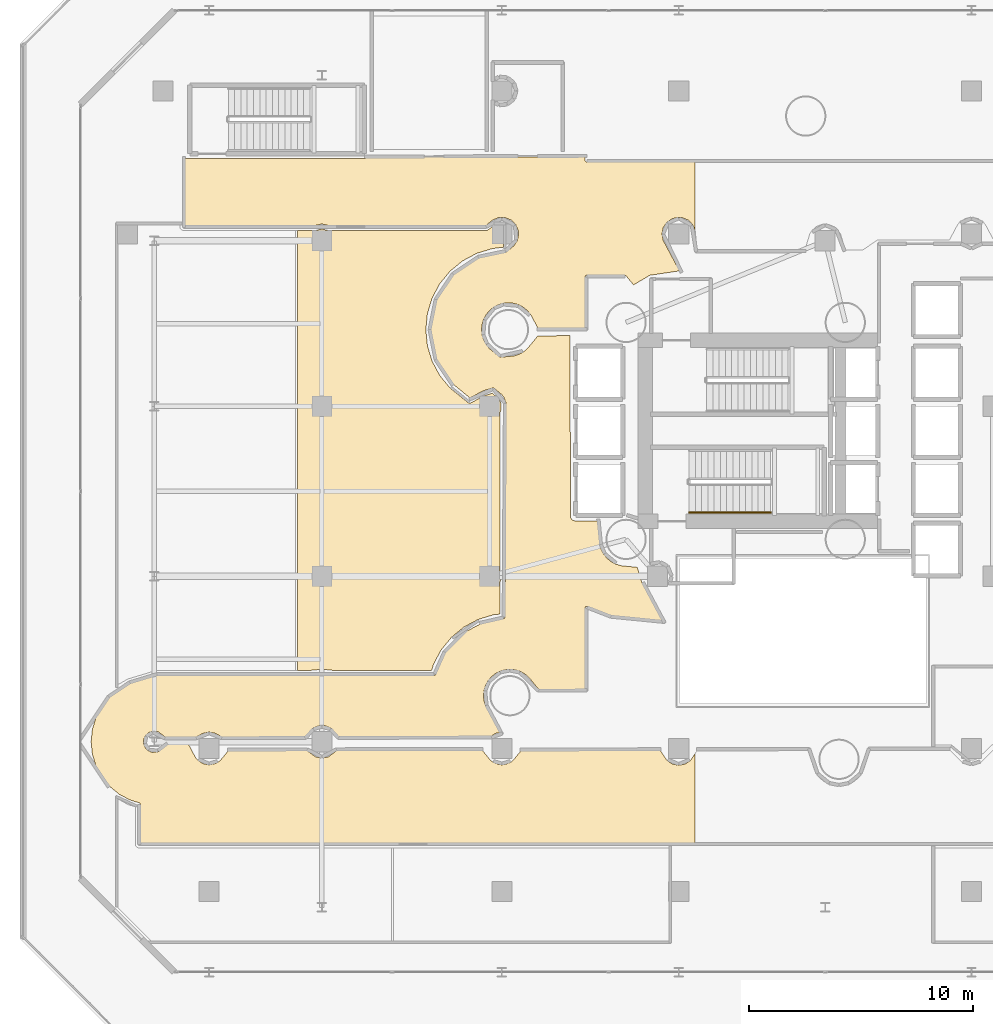
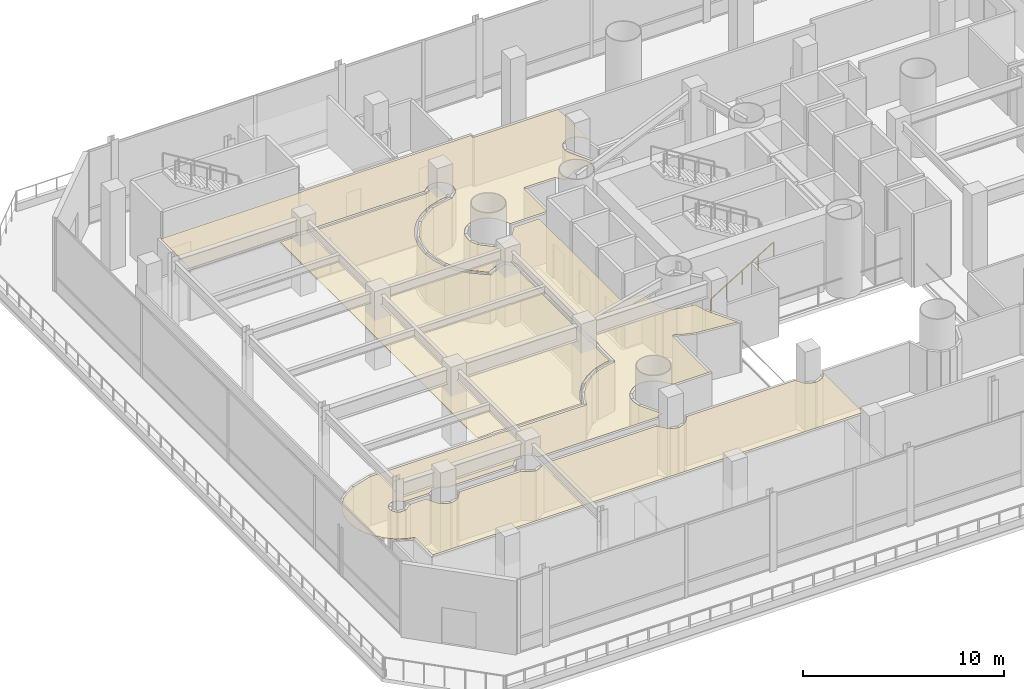
# One storey, part 32 of 39: 2 coverings, 1 railing.
"""IFC4 building model written with IfcOpenShell, lengths in metres."""

from ifc_helpers import new_model, si_unit, direction, frame, origin, origin_2d, place, context, subcontext, project, spatial, polyline, rectangle, outline, extrude, material, layer, layer_set, type_object, element, save


model = new_model("IFC4")

# Units and contexts
model_context = context("Model", 3, precision=1e-05, world=origin(), true_north=direction((0.0, 1.0)))
body_context = subcontext(model_context, "Body", "Model", "MODEL_VIEW")
ifc_project = project(units=[si_unit("LENGTHUNIT", "METRE"), si_unit("AREAUNIT", "SQUARE_METRE"), si_unit("VOLUMEUNIT", "CUBIC_METRE"), si_unit("PLANEANGLEUNIT", "RADIAN"), si_unit("MASSUNIT", "GRAM", prefix="KILO")], contexts=[model_context])

# Site, building, storey
site_placement = place(None, origin())
site = spatial("IfcSite", under=ifc_project, at=site_placement, CompositionType="ELEMENT")
building_placement = place(site_placement, origin())
building = spatial("IfcBuilding", under=site, at=building_placement, Name="Qianvela Tower", CompositionType="ELEMENT")
storey_placement = place(building_placement, frame((0.0, 0.0, 15.800048828125)))
storey = spatial("IfcBuildingStorey", under=building, at=storey_placement, Name="L03", CompositionType="ELEMENT", Elevation=15.800048828125)

# Coverings
ifc_material_1 = material(Name="Perforated Mineral Acoustic Ceiling Tile")
ifc_layer = layer(ifc_material_1, 0.02490234375)
ifc_layer_set = layer_set([ifc_layer], Name="Perforated Mineral Acoustic Ceiling Tile")
covering_type = type_object("IfcCoveringType", Name="COV-CEIL-ACOUSTIC-25", PredefinedType="CEILING", material=ifc_layer_set)
covering_1_placement = place(storey_placement, frame((0.0, 0.0, 2.994873046875)))
element("IfcCovering", 1, at=covering_1_placement, inside=storey, type_object=covering_type, Name="L03 Acoustic Ceiling Bay 1 L03 Concourse Gallery Corridor", PredefinedType="CEILING", context=body_context, shape_type="SweptSolid", body=[
    extrude(outline(polyline([(7.6953125, 15.237548828125), (7.68896484375, 15.2412109375), (7.682373046875, 15.243896484375), (7.67529296875, 15.246337890625), (7.668212890625, 15.248046875), (7.660888671875, 15.249267578125), (7.4296875, 15.27197265625), (7.422119140625, 15.272216796875), (7.4140625, 15.27197265625), (7.406494140625, 15.270751953125), (7.398681640625, 15.268798828125), (7.391357421875, 15.26611328125), (7.247314453125, 15.20654296875), (7.239990234375, 15.203125), (7.2333984375, 15.19921875), (7.22705078125, 15.1943359375), (7.22119140625, 15.189208984375), (7.11083984375, 15.078857421875), (7.105712890625, 15.072998046875), (7.100830078125, 15.066650390625), (7.096923828125, 15.059814453125), (7.093505859375, 15.052734375), (7.03369140625, 14.90869140625), (7.031005859375, 14.9013671875), (7.029296875, 14.8935546875), (7.028076171875, 14.885986328125), (7.027587890625, 14.8779296875), (7.027587890625, 14.721923828125), (7.028076171875, 14.714111328125), (7.029296875, 14.706298828125), (7.031005859375, 14.69873046875), (7.03369140625, 14.69140625), (7.093505859375, 14.547119140625), (7.096923828125, 14.5400390625), (7.100830078125, 14.533203125), (7.105712890625, 14.527099609375), (7.11083984375, 14.521240234375), (7.22119140625, 14.410888671875), (7.22705078125, 14.405517578125), (7.2333984375, 14.40087890625), (7.239990234375, 14.39697265625), (7.247314453125, 14.3935546875), (7.391357421875, 14.333740234375), (7.398681640625, 14.3310546875), (7.406494140625, 14.3291015625), (7.4140625, 14.328125), (7.422119140625, 14.32763671875), (7.4296875, 14.328125), (7.660888671875, 14.350830078125), (7.668212890625, 14.351806640625), (7.675537109375, 14.353759765625), (7.6826171875, 14.356201171875), (7.689453125, 14.359130859375), (7.69580078125, 14.36279296875), (7.701904296875, 14.3671875), (8.094482421875, 14.67041015625), (9.038818359375, 14.6728515625), (9.344482421875, 14.101318359375), (9.348388671875, 14.094482421875), (9.35302734375, 14.088134765625), (9.433837890625, 13.989501953125), (9.439208984375, 13.98388671875), (9.445068359375, 13.978515625), (9.451416015625, 13.973876953125), (9.662109375, 13.8330078125), (9.6689453125, 13.828857421875), (9.676025390625, 13.82568359375), (9.683349609375, 13.822998046875), (9.69091796875, 13.821044921875), (9.939697265625, 13.771484375), (9.947509765625, 13.7705078125), (9.955322265625, 13.77001953125), (9.963134765625, 13.7705078125), (9.970947265625, 13.771484375), (10.2197265625, 13.821044921875), (10.227294921875, 13.822998046875), (10.23486328125, 13.82568359375), (10.241943359375, 13.828857421875), (10.354248046875, 13.888916015625), (10.361083984375, 13.89306640625), (10.3671875, 13.897705078125), (10.4658203125, 13.978515625), (10.4716796875, 13.98388671875), (10.476806640625, 13.989501953125), (10.81005859375, 14.3955078125), (14.338623046875, 14.404296875), (14.703857421875, 14.135009765625), (14.711181640625, 14.13037109375), (14.718994140625, 14.126220703125), (14.72705078125, 14.123291015625), (14.735595703125, 14.12109375), (14.984375, 14.071533203125), (14.9921875, 14.0703125), (15.0, 14.070068359375), (15.0078125, 14.0703125), (15.015625, 14.071533203125), (15.264404296875, 14.12109375), (15.27294921875, 14.123291015625), (15.281005859375, 14.126220703125), (15.288818359375, 14.13037109375), (15.29638671875, 14.135009765625), (15.665283203125, 14.40771484375), (22.166748046875, 14.423828125), (22.523193359375, 13.989501953125), (22.5283203125, 13.98388671875), (22.5341796875, 13.978515625), (22.6328125, 13.897705078125), (22.638916015625, 13.89306640625), (22.645751953125, 13.888916015625), (22.65283203125, 13.885498046875), (22.88720703125, 13.78857421875), (22.89453125, 13.785888671875), (22.902099609375, 13.783935546875), (22.909912109375, 13.782958984375), (23.036865234375, 13.7705078125), (23.044677734375, 13.77001953125), (23.052490234375, 13.7705078125), (23.17919921875, 13.782958984375), (23.18701171875, 13.783935546875), (23.194580078125, 13.785888671875), (23.201904296875, 13.78857421875), (23.436279296875, 13.885498046875), (23.443359375, 13.888916015625), (23.4501953125, 13.89306640625), (23.45654296875, 13.897705078125), (23.554931640625, 13.978515625), (23.560791015625, 13.98388671875), (23.566162109375, 13.989501953125), (23.899169921875, 14.3955078125), (30.12841796875, 14.4111328125), (30.4150390625, 13.981689453125), (30.419921875, 13.9755859375), (30.425048828125, 13.9697265625), (30.430908203125, 13.96435546875), (30.437255859375, 13.959716796875), (30.654541015625, 13.814453125), (30.661376953125, 13.810302734375), (30.66845703125, 13.80712890625), (30.67578125, 13.804443359375), (30.683349609375, 13.802490234375), (30.939697265625, 13.75146484375), (30.947509765625, 13.75048828125), (30.955322265625, 13.75), (30.963134765625, 13.75048828125), (30.970947265625, 13.75146484375), (31.227294921875, 13.802490234375), (31.235107421875, 13.804443359375), (31.242431640625, 13.80712890625), (31.24951171875, 13.810302734375), (31.256103515625, 13.814453125), (31.4736328125, 13.959716796875), (31.47998046875, 13.96435546875), (31.485595703125, 13.9697265625), (31.490966796875, 13.9755859375), (31.49560546875, 13.981689453125), (31.68701171875, 14.26806640625), (31.68701171875, 10.280029296875), (6.8798828125, 10.280029296875), (6.8798828125, 11.996337890625), (6.879638671875, 12.00439453125), (6.87841796875, 12.01220703125), (6.876708984375, 12.019775390625), (6.873779296875, 12.027099609375), (6.87060546875, 12.0341796875), (6.866455078125, 12.041015625), (6.86181640625, 12.047119140625), (6.856689453125, 12.052978515625), (6.850830078125, 12.058349609375), (6.844482421875, 12.06298828125), (6.837646484375, 12.06689453125), (6.83056640625, 12.0703125), (6.8232421875, 12.072998046875), (6.4208984375, 12.195068359375), (5.93359375, 12.45556640625), (5.506103515625, 12.80615234375), (5.155517578125, 13.2333984375), (4.89501953125, 13.720947265625), (4.734619140625, 14.25), (4.680419921875, 14.800048828125), (4.734619140625, 15.35009765625), (4.89501953125, 15.87890625), (5.155517578125, 16.366455078125), (5.506103515625, 16.793701171875), (5.93359375, 17.144287109375), (6.4208984375, 17.405029296875), (7.624267578125, 17.77001953125), (14.4921875, 17.77001953125), (14.500244140625, 17.7705078125), (15.0, 17.819580078125), (15.499755859375, 17.7705078125), (15.5078125, 17.77001953125), (20.012451171875, 17.77001953125), (20.020263671875, 17.7705078125), (20.028076171875, 17.771484375), (20.03564453125, 17.7734375), (20.043212890625, 17.776123046875), (20.050048828125, 17.779296875), (20.056884765625, 17.783447265625), (20.063232421875, 17.7880859375), (20.069091796875, 17.79345703125), (20.07421875, 17.79931640625), (20.0791015625, 17.8056640625), (20.0830078125, 17.812255859375), (20.086181640625, 17.8193359375), (20.089111328125, 17.826904296875), (20.198486328125, 18.187744140625), (20.51904296875, 18.78759765625), (20.95068359375, 19.3134765625), (21.476318359375, 19.744873046875), (22.076171875, 20.0654296875), (22.72705078125, 20.262939453125), (23.10791015625, 20.30029296875), (23.115478515625, 20.301513671875), (23.123291015625, 20.303466796875), (23.130615234375, 20.30615234375), (23.1376953125, 20.3095703125), (23.144287109375, 20.3134765625), (23.15087890625, 20.318115234375), (23.156494140625, 20.323486328125), (23.161865234375, 20.329345703125), (23.16650390625, 20.335693359375), (23.170654296875, 20.34228515625), (23.173828125, 20.349365234375), (23.176513671875, 20.356689453125), (23.178466796875, 20.364501953125), (23.1796875, 20.372314453125), (23.179931640625, 20.380126953125), (23.179931640625, 21.872314453125), (23.248046875, 22.182861328125), (23.24951171875, 22.19140625), (23.25, 22.199951171875), (23.24951171875, 22.20849609375), (23.248046875, 22.217041015625), (23.179931640625, 22.527587890625), (23.179931640625, 29.468994140625), (23.233642578125, 29.64599609375), (23.235595703125, 29.65380859375), (23.23681640625, 29.661376953125), (23.237060546875, 29.669189453125), (23.237060546875, 29.9306640625), (23.23681640625, 29.938720703125), (23.235595703125, 29.9462890625), (23.233642578125, 29.953857421875), (23.23095703125, 29.961181640625), (23.131103515625, 30.202880859375), (23.127685546875, 30.2099609375), (23.12353515625, 30.216796875), (23.118896484375, 30.222900390625), (23.03564453125, 30.324462890625), (23.0302734375, 30.330322265625), (23.0244140625, 30.335693359375), (22.6982421875, 30.603515625), (22.69189453125, 30.60791015625), (22.685302734375, 30.612060546875), (22.677978515625, 30.615478515625), (22.670654296875, 30.6181640625), (22.6630859375, 30.6201171875), (22.6552734375, 30.62109375), (22.6474609375, 30.62158203125), (22.6396484375, 30.62109375), (22.6318359375, 30.6201171875), (22.624267578125, 30.6181640625), (22.220458984375, 30.49560546875), (22.212890625, 30.492919921875), (22.205810546875, 30.489501953125), (21.6162109375, 30.17431640625), (20.884521484375, 30.774658203125), (20.453125, 31.30029296875), (20.132568359375, 31.900146484375), (19.93505859375, 32.551025390625), (19.868408203125, 33.22802734375), (19.93505859375, 33.90478515625), (20.132568359375, 34.555908203125), (20.453125, 35.155517578125), (20.884521484375, 35.681396484375), (21.410400390625, 36.11279296875), (22.01025390625, 36.43359375), (22.6611328125, 36.630859375), (23.20703125, 36.684814453125), (23.21484375, 36.685791015625), (23.222412109375, 36.687744140625), (23.229736328125, 36.6904296875), (23.23681640625, 36.69384765625), (23.24365234375, 36.69775390625), (23.25, 36.702392578125), (23.569091796875, 36.96435546875), (23.574951171875, 36.9697265625), (23.580078125, 36.9755859375), (23.5849609375, 36.981689453125), (23.72998046875, 37.19921875), (23.734130859375, 37.205810546875), (23.737548828125, 37.212890625), (23.740234375, 37.220458984375), (23.7421875, 37.22802734375), (23.793212890625, 37.484375), (23.794189453125, 37.4921875), (23.794677734375, 37.5), (23.794189453125, 37.5078125), (23.78125, 37.638671875), (23.7802734375, 37.646240234375), (23.7783203125, 37.65380859375), (23.775634765625, 37.661376953125), (23.675537109375, 37.90283203125), (23.672119140625, 37.909912109375), (23.668212890625, 37.916748046875), (23.66357421875, 37.923095703125), (23.658203125, 37.9287109375), (23.473388671875, 38.11376953125), (23.467529296875, 38.118896484375), (23.461181640625, 38.12353515625), (23.45458984375, 38.127685546875), (23.447509765625, 38.131103515625), (23.205810546875, 38.23095703125), (23.198486328125, 38.233642578125), (23.19091796875, 38.235595703125), (23.18310546875, 38.23681640625), (23.052490234375, 38.24951171875), (23.044677734375, 38.25), (23.036865234375, 38.24951171875), (22.906005859375, 38.23681640625), (22.898193359375, 38.235595703125), (22.890625, 38.233642578125), (22.88330078125, 38.23095703125), (22.641845703125, 38.131103515625), (22.634765625, 38.127685546875), (22.6279296875, 38.12353515625), (22.62158203125, 38.118896484375), (22.33056640625, 37.8798828125), (15.32763671875, 37.8798828125), (15.01708984375, 37.947998046875), (15.008544921875, 37.949462890625), (15.0, 37.949951171875), (14.991455078125, 37.949462890625), (14.98291015625, 37.947998046875), (14.67236328125, 37.8798828125), (8.8798828125, 37.8798828125), (8.8798828125, 40.8798828125), (16.89990234375, 40.8798828125), (16.908203125, 40.88037109375), (16.916015625, 40.881591796875), (16.923828125, 40.8837890625), (17.103759765625, 40.93994140625), (26.77001953125, 40.93994140625), (26.77001953125, 40.800048828125), (26.7705078125, 40.792236328125), (26.771484375, 40.784423828125), (26.7734375, 40.77685546875), (26.776123046875, 40.769287109375), (26.779296875, 40.76220703125), (26.783447265625, 40.755615234375), (26.7880859375, 40.749267578125), (26.79345703125, 40.743408203125), (26.79931640625, 40.73828125), (26.8056640625, 40.7333984375), (26.812255859375, 40.7294921875), (26.8193359375, 40.72607421875), (26.826904296875, 40.723388671875), (26.83447265625, 40.721435546875), (26.84228515625, 40.720458984375), (26.85009765625, 40.719970703125), (31.68701171875, 40.719970703125), (31.68701171875, 37.659912109375), (31.686279296875, 37.661376953125), (31.58642578125, 37.90283203125), (31.5830078125, 37.909912109375), (31.5791015625, 37.916748046875), (31.57421875, 37.923095703125), (31.569091796875, 37.9287109375), (31.38427734375, 38.11376953125), (31.37841796875, 38.118896484375), (31.3720703125, 38.12353515625), (31.365234375, 38.127685546875), (31.358154296875, 38.131103515625), (31.11669921875, 38.23095703125), (31.109375, 38.233642578125), (31.101806640625, 38.235595703125), (31.093994140625, 38.23681640625), (30.963134765625, 38.24951171875), (30.955322265625, 38.25), (30.947509765625, 38.24951171875), (30.939697265625, 38.24853515625), (30.683349609375, 38.197509765625), (30.67578125, 38.195556640625), (30.66845703125, 38.19287109375), (30.661376953125, 38.189697265625), (30.654541015625, 38.185546875), (30.437255859375, 38.040283203125), (30.430908203125, 38.03564453125), (30.425048828125, 38.0302734375), (30.419921875, 38.0244140625), (30.4150390625, 38.018310546875), (30.27001953125, 37.80078125), (30.265869140625, 37.794189453125), (30.262451171875, 37.787109375), (30.259765625, 37.779541015625), (30.2578125, 37.77197265625), (30.206787109375, 37.515625), (30.205810546875, 37.5078125), (30.205322265625, 37.5), (30.205810546875, 37.4921875), (30.206787109375, 37.484375), (30.2578125, 37.22802734375), (30.259765625, 37.220458984375), (30.262451171875, 37.212890625), (30.265869140625, 37.205810546875), (30.988037109375, 35.854736328125), (29.670166015625, 35.658447265625), (29.66259765625, 35.656982421875), (29.655029296875, 35.65478515625), (29.64794921875, 35.651611328125), (29.64111328125, 35.64794921875), (28.93408203125, 35.226318359375), (28.60205078125, 35.630859375), (28.5966796875, 35.63671875), (28.5908203125, 35.641845703125), (28.584716796875, 35.646484375), (28.577880859375, 35.650634765625), (28.57080078125, 35.65380859375), (28.563232421875, 35.656494140625), (28.5556640625, 35.658447265625), (28.548095703125, 35.65966796875), (28.5400390625, 35.659912109375), (26.85009765625, 35.659912109375), (26.84228515625, 35.65966796875), (26.83447265625, 35.658447265625), (26.826904296875, 35.656494140625), (26.8193359375, 35.65380859375), (26.812255859375, 35.650634765625), (26.8056640625, 35.646484375), (26.79931640625, 35.641845703125), (26.79345703125, 35.63671875), (26.7880859375, 35.630859375), (26.783447265625, 35.62451171875), (26.779296875, 35.61767578125), (26.776123046875, 35.610595703125), (26.7734375, 35.603271484375), (26.771484375, 35.595703125), (26.7705078125, 35.587890625), (26.77001953125, 35.580078125), (26.77001953125, 33.29736328125), (24.658203125, 33.2919921875), (24.33984375, 33.887939453125), (24.335693359375, 33.894775390625), (24.3310546875, 33.90087890625), (24.19189453125, 34.07080078125), (24.1865234375, 34.076416015625), (24.1806640625, 34.081787109375), (24.010986328125, 34.22119140625), (24.004638671875, 34.225830078125), (23.998046875, 34.229736328125), (23.80419921875, 34.333251953125), (23.797119140625, 34.336669921875), (23.789794921875, 34.33935546875), (23.57958984375, 34.403076171875), (23.572021484375, 34.40478515625), (23.564208984375, 34.406005859375), (23.345703125, 34.427490234375), (23.337890625, 34.427978515625), (23.330078125, 34.427490234375), (23.11181640625, 34.406005859375), (23.10400390625, 34.40478515625), (23.09619140625, 34.403076171875), (22.88623046875, 34.33935546875), (22.87890625, 34.336669921875), (22.87158203125, 34.333251953125), (22.677978515625, 34.229736328125), (22.67138671875, 34.225830078125), (22.6650390625, 34.22119140625), (22.495361328125, 34.081787109375), (22.489501953125, 34.076416015625), (22.484130859375, 34.07080078125), (22.344970703125, 33.90087890625), (22.340087890625, 33.894775390625), (22.336181640625, 33.887939453125), (22.232666015625, 33.6943359375), (22.229248046875, 33.687255859375), (22.226806640625, 33.6796875), (22.1630859375, 33.4697265625), (22.1611328125, 33.462158203125), (22.159912109375, 33.454345703125), (22.138427734375, 33.23583984375), (22.137939453125, 33.22802734375), (22.138427734375, 33.22021484375), (22.159912109375, 33.001708984375), (22.1611328125, 32.993896484375), (22.1630859375, 32.986328125), (22.226806640625, 32.776123046875), (22.229248046875, 32.768798828125), (22.232666015625, 32.76171875), (22.336181640625, 32.568115234375), (22.340087890625, 32.561279296875), (22.344970703125, 32.554931640625), (22.484130859375, 32.38525390625), (22.489501953125, 32.37939453125), (22.495361328125, 32.374267578125), (22.93701171875, 32.01171875), (22.943359375, 32.007080078125), (22.9501953125, 32.0029296875), (22.957275390625, 31.99951171875), (22.964599609375, 31.9970703125), (22.97216796875, 31.9951171875), (22.97998046875, 31.993896484375), (22.98779296875, 31.993408203125), (22.99560546875, 31.993896484375), (23.564208984375, 32.0498046875), (23.572021484375, 32.051025390625), (23.57958984375, 32.052978515625), (23.789794921875, 32.11669921875), (23.797119140625, 32.119384765625), (23.80419921875, 32.122802734375), (23.998046875, 32.226318359375), (24.004638671875, 32.230224609375), (24.010986328125, 32.23486328125), (24.1806640625, 32.374267578125), (24.1865234375, 32.37939453125), (24.19189453125, 32.38525390625), (24.656982421875, 32.951904296875), (26.099609375, 32.95556640625), (26.10595703125, 24.859375), (26.1064453125, 24.8515625), (26.107666015625, 24.84375), (26.109619140625, 24.836181640625), (26.112060546875, 24.82861328125), (26.115478515625, 24.821533203125), (26.119384765625, 24.81494140625), (26.164794921875, 24.747314453125), (26.169189453125, 24.740966796875), (26.174560546875, 24.735107421875), (26.180419921875, 24.72998046875), (26.186767578125, 24.725341796875), (26.193603515625, 24.72119140625), (26.20068359375, 24.718017578125), (26.275634765625, 24.686767578125), (26.282958984375, 24.68408203125), (26.29052734375, 24.68212890625), (26.29833984375, 24.68115234375), (26.30615234375, 24.6806640625), (27.31787109375, 24.679931640625), (27.421875, 23.623779296875), (27.423095703125, 23.615966796875), (27.425048828125, 23.6083984375), (27.48876953125, 23.398193359375), (27.4912109375, 23.390869140625), (27.49462890625, 23.3837890625), (27.59814453125, 23.18994140625), (27.602294921875, 23.183349609375), (27.60693359375, 23.177001953125), (27.74609375, 23.00732421875), (27.75146484375, 23.00146484375), (27.75732421875, 22.99609375), (27.927001953125, 22.85693359375), (27.933349609375, 22.852294921875), (27.93994140625, 22.84814453125), (28.1337890625, 22.74462890625), (28.140869140625, 22.7412109375), (28.148193359375, 22.73876953125), (28.3583984375, 22.675048828125), (28.365966796875, 22.673095703125), (28.373779296875, 22.671875), (29.09814453125, 22.6005859375), (29.304443359375, 21.92041015625), (29.30712890625, 21.9130859375), (29.310302734375, 21.906005859375), (30.210693359375, 20.2216796875), (27.923095703125, 20.447021484375), (27.272216796875, 20.64453125), (26.8876953125, 20.85009765625), (26.880615234375, 20.853515625), (26.873291015625, 20.85595703125), (26.865478515625, 20.85791015625), (26.85791015625, 20.859130859375), (26.85009765625, 20.859619140625), (26.84228515625, 20.859130859375), (26.83447265625, 20.85791015625), (26.826904296875, 20.85595703125), (26.8193359375, 20.853515625), (26.812255859375, 20.85009765625), (26.8056640625, 20.845947265625), (26.79931640625, 20.84130859375), (26.79345703125, 20.8359375), (26.7880859375, 20.830078125), (26.783447265625, 20.823974609375), (26.779296875, 20.817138671875), (26.776123046875, 20.81005859375), (26.7734375, 20.802734375), (26.771484375, 20.795166015625), (26.7705078125, 20.787353515625), (26.77001953125, 20.779541015625), (26.77001953125, 17.145751953125), (24.693359375, 17.140380859375), (24.24365234375, 17.688720703125), (24.23828125, 17.6943359375), (24.232666015625, 17.69970703125), (24.06591796875, 17.83642578125), (24.0595703125, 17.841064453125), (24.052734375, 17.84521484375), (23.86279296875, 17.94677734375), (23.855712890625, 17.9501953125), (23.84814453125, 17.952880859375), (23.641845703125, 18.015380859375), (23.63427734375, 18.017333984375), (23.62646484375, 18.0185546875), (23.411865234375, 18.03955078125), (23.404052734375, 18.0400390625), (23.396240234375, 18.03955078125), (23.181640625, 18.0185546875), (23.173828125, 18.017333984375), (23.166259765625, 18.015380859375), (22.959716796875, 17.952880859375), (22.952392578125, 17.9501953125), (22.9453125, 17.94677734375), (22.755126953125, 17.84521484375), (22.748291015625, 17.841064453125), (22.7421875, 17.83642578125), (22.575439453125, 17.69970703125), (22.569580078125, 17.6943359375), (22.564208984375, 17.688720703125), (22.427490234375, 17.52197265625), (22.4228515625, 17.515625), (22.418701171875, 17.5087890625), (22.317138671875, 17.318603515625), (22.313720703125, 17.3115234375), (22.311279296875, 17.30419921875), (22.24853515625, 17.097900390625), (22.24658203125, 17.090087890625), (22.24560546875, 17.08251953125), (22.224365234375, 16.867919921875), (22.22412109375, 16.860107421875), (22.224365234375, 16.852294921875), (22.24560546875, 16.6376953125), (22.24658203125, 16.6298828125), (22.24853515625, 16.622314453125), (22.311279296875, 16.415771484375), (22.313720703125, 16.408447265625), (22.317138671875, 16.4013671875), (22.955078125, 15.20751953125), (22.782958984375, 15.179443359375), (22.774658203125, 15.177734375), (22.7666015625, 15.175048828125), (22.759033203125, 15.17138671875), (22.751708984375, 15.167236328125), (22.569580078125, 15.046630859375), (15.74951171875, 15.029541015625), (15.42041015625, 15.39404296875), (15.41552734375, 15.399169921875), (15.41015625, 15.40380859375), (15.404296875, 15.40771484375), (15.398193359375, 15.411376953125), (15.3916015625, 15.414306640625), (15.157470703125, 15.511474609375), (15.14990234375, 15.51416015625), (15.142333984375, 15.51611328125), (15.134765625, 15.51708984375), (15.0078125, 15.529541015625), (15.0, 15.530029296875), (14.9921875, 15.529541015625), (14.865234375, 15.51708984375), (14.857666015625, 15.51611328125), (14.85009765625, 15.51416015625), (14.842529296875, 15.511474609375), (14.6083984375, 15.414306640625), (14.601806640625, 15.411376953125), (14.595703125, 15.40771484375), (14.58984375, 15.40380859375), (14.58447265625, 15.399169921875), (14.57958984375, 15.39404296875), (14.247314453125, 15.02587890625), (10.531005859375, 15.0166015625), (10.241943359375, 15.171142578125), (10.23486328125, 15.17431640625), (10.227294921875, 15.177001953125), (10.2197265625, 15.178955078125), (9.970947265625, 15.228515625), (9.963134765625, 15.2294921875), (9.955322265625, 15.22998046875), (9.947509765625, 15.2294921875), (9.939697265625, 15.228515625), (9.69091796875, 15.178955078125), (9.683349609375, 15.177001953125), (9.676025390625, 15.17431640625), (9.6689453125, 15.171142578125), (9.37451171875, 15.013671875), (7.99560546875, 15.01025390625), (7.701416015625, 15.2333984375), (7.6953125, 15.237548828125)])), origin(), (0.0, 0.0, 1.0), 0.025146484375),
])
covering_2_placement = place(storey_placement, frame((0.0, 0.0, 2.994873046875)))
element("IfcCovering", 2, at=covering_2_placement, inside=storey, type_object=covering_type, Name="L03 Acoustic Ceiling Bay 2 L03 Student Tea Pantry and Study Lounge", PredefinedType="CEILING", context=body_context, shape_type="SweptSolid", body=[
    extrude(outline(polyline([(22.622802734375, 36.849853515625), (22.616455078125, 36.848876953125), (22.610107421875, 36.84716796875), (21.9326171875, 36.6416015625), (21.925048828125, 36.638916015625), (21.91796875, 36.635498046875), (21.293701171875, 36.3017578125), (21.286865234375, 36.2978515625), (21.280517578125, 36.293212890625), (20.733154296875, 35.843994140625), (20.727294921875, 35.838623046875), (20.72216796875, 35.832763671875), (20.27294921875, 35.285400390625), (20.268310546875, 35.279296875), (20.26416015625, 35.2724609375), (19.930419921875, 34.64794921875), (19.927001953125, 34.640869140625), (19.92431640625, 34.633544921875), (19.71875, 33.955810546875), (19.716796875, 33.9482421875), (19.7158203125, 33.9404296875), (19.646484375, 33.23583984375), (19.64599609375, 33.22802734375), (19.646484375, 33.22021484375), (19.7158203125, 32.515380859375), (19.716796875, 32.5078125), (19.71875, 32.5), (19.92431640625, 31.822509765625), (19.927001953125, 31.815185546875), (19.930419921875, 31.80810546875), (20.26416015625, 31.18359375), (20.268310546875, 31.1767578125), (20.27294921875, 31.17041015625), (20.72216796875, 30.623291015625), (20.7275390625, 30.6171875), (20.73388671875, 30.611572265625), (21.55029296875, 29.95458984375), (21.556640625, 29.949951171875), (21.563232421875, 29.946044921875), (21.5703125, 29.94287109375), (21.577392578125, 29.940185546875), (21.5849609375, 29.9384765625), (21.592529296875, 29.937255859375), (21.600341796875, 29.936767578125), (21.60791015625, 29.937255859375), (21.615478515625, 29.938232421875), (21.623046875, 29.940185546875), (21.63037109375, 29.942626953125), (21.63720703125, 29.94580078125), (22.297607421875, 30.287109375), (22.6162109375, 30.383544921875), (22.872802734375, 30.1728515625), (22.93408203125, 30.098388671875), (23.01513671875, 29.902587890625), (23.01513671875, 29.689697265625), (22.961181640625, 29.503173828125), (22.95947265625, 29.495849609375), (22.95849609375, 29.488525390625), (22.9580078125, 29.48095703125), (22.9580078125, 22.51904296875), (22.95849609375, 22.510498046875), (22.959716796875, 22.502197265625), (23.024658203125, 22.199951171875), (22.959716796875, 21.897705078125), (22.95849609375, 21.889404296875), (22.9580078125, 21.881103515625), (22.9580078125, 20.5087890625), (22.69140625, 20.482177734375), (22.68359375, 20.481201171875), (22.676025390625, 20.479248046875), (21.99853515625, 20.273681640625), (21.9912109375, 20.27099609375), (21.98388671875, 20.267578125), (21.359619140625, 19.933837890625), (21.352783203125, 19.9296875), (21.3466796875, 19.925048828125), (20.8037109375, 19.47998046875), (20.7978515625, 19.474609375), (20.79248046875, 19.468994140625), (20.335693359375, 18.912353515625), (20.3310546875, 18.906005859375), (20.326904296875, 18.899169921875), (19.996337890625, 18.27978515625), (19.992919921875, 18.27294921875), (19.990478515625, 18.265380859375), (19.9072265625, 17.991943359375), (15.5146484375, 17.991943359375), (15.0078125, 18.04150390625), (15.0, 18.0419921875), (14.9921875, 18.04150390625), (14.4853515625, 17.991943359375), (13.90771484375, 17.991943359375), (13.90771484375, 37.657958984375), (14.680908203125, 37.657958984375), (14.689453125, 37.658447265625), (14.69775390625, 37.659912109375), (15.0, 37.724609375), (15.30224609375, 37.659912109375), (15.310546875, 37.658447265625), (15.319091796875, 37.657958984375), (22.359130859375, 37.657958984375), (22.36669921875, 37.658203125), (22.3740234375, 37.659423828125), (22.38134765625, 37.6611328125), (22.38818359375, 37.66357421875), (22.395263671875, 37.66650390625), (22.401611328125, 37.67041015625), (22.40771484375, 37.674560546875), (22.727783203125, 37.919921875), (23.1201171875, 37.919921875), (23.1201171875, 36.915283203125), (22.622802734375, 36.849853515625)])), origin(), (0.0, 0.0, 1.0), 0.025146484375),
])

# Railing
ifc_material_2 = material(Name="Brushed Stainless Steel 304", Category="steel")
railing_type = type_object("IfcRailingType", Name="RL-STAIR-HANDRAIL-900", PredefinedType="HANDRAIL", material=ifc_material_2)
railing_placement = place(storey_placement, frame((31.419921875, 25.050048828125, 0.17138671875)))
element("IfcRailing", 3, at=railing_placement, inside=storey, type_object=railing_type, Name="L03 ST-2 stair handrail 1", PredefinedType="HANDRAIL", context=body_context, shape_type="SweptSolid", body=[
    extrude(rectangle(XDim=0.050048828125, YDim=0.0400390625, at=origin_2d()), frame((0.0, 0.0, 0.8798828125), z_axis=(0.852865859571, 0.0, 0.52213008492), x_axis=(0.0, 1.0, 0.0)), (0.0, 0.0, 1.0), 4.26806640625),
    extrude(rectangle(XDim=0.050048828125, YDim=0.050048828125, at=origin_2d()), origin(), (0.0, 0.0, 1.0), 0.85986328125),
    extrude(rectangle(XDim=0.050048828125, YDim=0.050048828125, at=origin_2d()), frame((0.91015625, 0.0, 0.55712890625)), (0.0, 0.0, 1.0), 0.85986328125),
    extrude(rectangle(XDim=0.050048828125, YDim=0.050048828125, at=origin_2d()), frame((1.820068359375, 0.0, 1.1142578125)), (0.0, 0.0, 1.0), 0.85986328125),
    extrude(rectangle(XDim=0.050048828125, YDim=0.050048828125, at=origin_2d()), frame((2.72998046875, 0.0, 1.67138671875)), (0.0, 0.0, 1.0), 0.85986328125),
    extrude(rectangle(XDim=0.050048828125, YDim=0.050048828125, at=origin_2d()), frame((3.64013671875, 0.0, 2.228515625)), (0.0, 0.0, 1.0), 0.85986328125),
])

save(model, "model.ifc")
